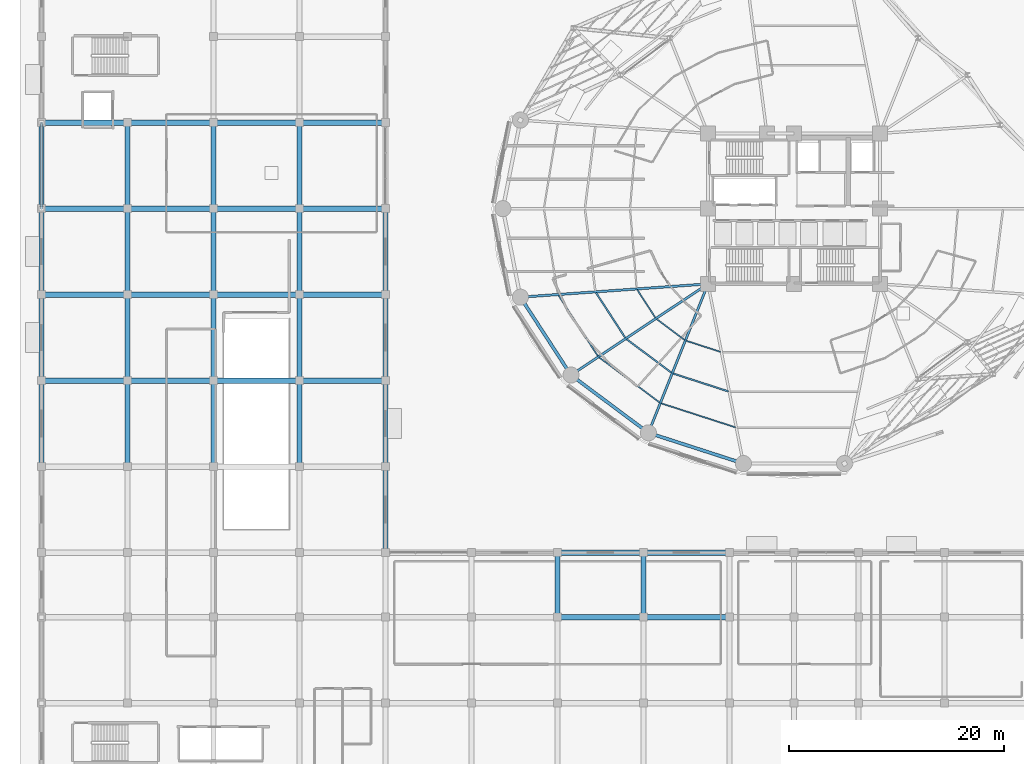
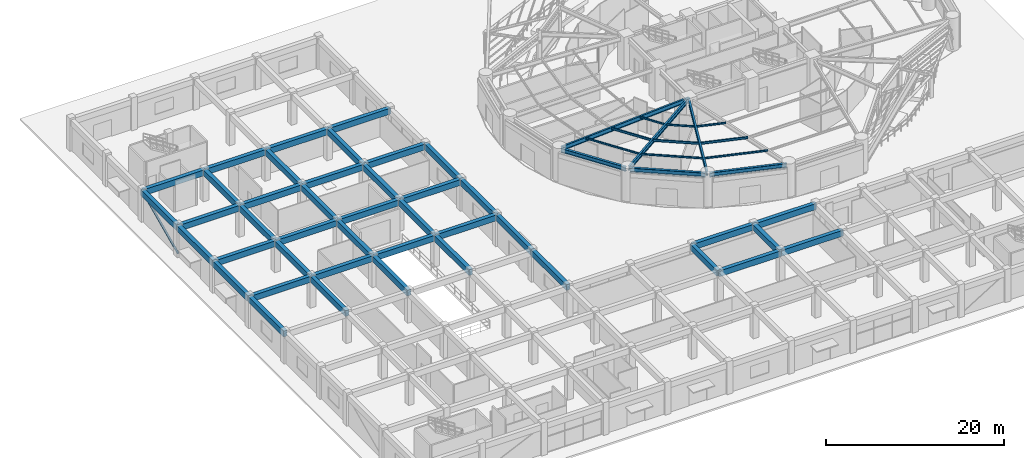
# One storey, part 12 of 40: 57 beams, 1 member.
"""IFC4 building model written with IfcOpenShell, lengths in metres."""

from ifc_helpers import new_model, si_unit, direction, frame, origin, origin_2d, place, context, subcontext, project, spatial, rectangle, hollow_circle, i_section, extrude, material, material_profile, profile_set, type_object, element, save


model = new_model("IFC4")

# Units and contexts
model_context = context("Model", 3, precision=1e-05, world=origin(), true_north=direction((0.0, 1.0)))
body_context = subcontext(model_context, "Body", "Model", "MODEL_VIEW")
ifc_project = project(units=[si_unit("LENGTHUNIT", "METRE"), si_unit("AREAUNIT", "SQUARE_METRE"), si_unit("VOLUMEUNIT", "CUBIC_METRE"), si_unit("PLANEANGLEUNIT", "RADIAN"), si_unit("MASSUNIT", "GRAM", prefix="KILO")], contexts=[model_context])

# Site, building, storey
site_placement = place(None, origin())
site = spatial("IfcSite", under=ifc_project, at=site_placement, CompositionType="ELEMENT")
building_placement = place(site_placement, origin())
building = spatial("IfcBuilding", under=site, at=building_placement, Name="Kelanora Arch Commons", CompositionType="ELEMENT")
storey_placement = place(building_placement, origin())
storey = spatial("IfcBuildingStorey", under=building, at=storey_placement, Name="L00", CompositionType="ELEMENT", Elevation=0.0)

# Beams
ifc_material_1 = material(Name="Steel S355", Category="steel")
ifc_material_profile_1 = material_profile(ifc_material_1, i_section(OverallWidth=0.14990234375, OverallDepth=0.300048828125, WebThickness=0.007080078125, FlangeThickness=0.0107421875, FilletRadius=0.014892578125, at=origin_2d()), Name="IPE300")
ifc_profile_set_1 = profile_set([ifc_material_profile_1], Name="Steel S355")
beam_type_1 = type_object("IfcBeamType", Name="BM-JST-01", PredefinedType="JOIST", material=ifc_profile_set_1)
beam_1_placement = place(storey_placement, frame((55.578125, 50.187255859375, 4.050048828125), z_axis=(0.544551588245, -0.838727350061, 0.0), x_axis=(0.838727350061, 0.544551588245, 0.0)))
element("IfcBeam", 1, at=beam_1_placement, inside=storey, type_object=beam_type_1, Name="Secondary Chord Joist BJB-20 L00", PredefinedType="JOIST", context=body_context, shape_type="SweptSolid", body=[
    extrude(i_section(OverallWidth=0.14990234375, OverallDepth=0.300048828125, WebThickness=0.007080078125, FlangeThickness=0.0107421875, FilletRadius=0.014892578125, at=origin_2d()), origin(), (0.0, 0.0, 1.0), 5.010986328125),
])
beam_2_placement = place(storey_placement, frame((58.42138671875, 45.8623046875, 4.050048828125), z_axis=(0.801478251559, -0.598023922831, 0.0), x_axis=(0.598023922831, 0.801478251559, 0.0)))
element("IfcBeam", 2, at=beam_2_placement, inside=storey, type_object=beam_type_1, Name="Secondary Chord Joist BJB-22 L00", PredefinedType="JOIST", context=body_context, shape_type="SweptSolid", body=[
    extrude(i_section(OverallWidth=0.14990234375, OverallDepth=0.300048828125, WebThickness=0.007080078125, FlangeThickness=0.0107421875, FilletRadius=0.014892578125, at=origin_2d()), origin(), (0.0, 0.0, 1.0), 5.223388671875),
])
beam_3_placement = place(storey_placement, frame((62.7568359375, 42.66162109375, 4.050048828125), z_axis=(0.951412209627, -0.307920131482, 0.0), x_axis=(0.307920131482, 0.951412209627, 0.0)))
element("IfcBeam", 3, at=beam_3_placement, inside=storey, type_object=beam_type_1, Name="Secondary Chord Joist BJB-24 L00", PredefinedType="JOIST", context=body_context, shape_type="SweptSolid", body=[
    extrude(i_section(OverallWidth=0.14990234375, OverallDepth=0.300048828125, WebThickness=0.007080078125, FlangeThickness=0.0107421875, FilletRadius=0.014892578125, at=origin_2d()), origin(), (0.0, 0.0, 1.0), 5.4033203125),
])
ifc_material_profile_2 = material_profile(ifc_material_1, i_section(OverallWidth=0.1201171875, OverallDepth=0.239990234375, WebThickness=0.006103515625, FlangeThickness=0.009765625, FilletRadius=0.014892578125, at=origin_2d()), Name="IPE240")
ifc_profile_set_2 = profile_set([ifc_material_profile_2], Name="Steel S355")
beam_type_2 = type_object("IfcBeamType", Name="BM-JST-02", PredefinedType="JOIST", material=ifc_profile_set_2)
beam_4_placement = place(storey_placement, frame((59.41650390625, 50.458984375, 4.080078125), z_axis=(0.544591105858, -0.838701691557, 0.0), x_axis=(0.838701691557, 0.544591105858, 0.0)))
element("IfcBeam", 4, at=beam_4_placement, inside=storey, type_object=beam_type_2, Name="Secondary Chord Joist BJA-20 L00", PredefinedType="JOIST", context=body_context, shape_type="SweptSolid", body=[
    extrude(i_section(OverallWidth=0.1201171875, OverallDepth=0.239990234375, WebThickness=0.006103515625, FlangeThickness=0.009765625, FilletRadius=0.014892578125, at=origin_2d()), origin(), (0.0, 0.0, 1.0), 3.111328125),
])
beam_5_placement = place(storey_placement, frame((52.0888671875, 49.940185546875, 4.080078125), z_axis=(0.544550165372, -0.838728273873, 0.0), x_axis=(0.838728273873, 0.544550165372, 0.0)))
element("IfcBeam", 5, at=beam_5_placement, inside=storey, type_object=beam_type_2, Name="Secondary Chord Joist BJC-20 L00", PredefinedType="JOIST", context=body_context, shape_type="SweptSolid", body=[
    extrude(i_section(OverallWidth=0.1201171875, OverallDepth=0.239990234375, WebThickness=0.006103515625, FlangeThickness=0.009765625, FilletRadius=0.014892578125, at=origin_2d()), origin(), (0.0, 0.0, 1.0), 6.738037109375),
])
beam_6_placement = place(storey_placement, frame((61.22509765625, 47.727294921875, 4.080078125), z_axis=(0.801513822608, -0.59797624716, 0.0), x_axis=(0.59797624716, 0.801513822608, 0.0)))
element("IfcBeam", 6, at=beam_6_placement, inside=storey, type_object=beam_type_2, Name="Secondary Chord Joist BJA-22 L00", PredefinedType="JOIST", context=body_context, shape_type="SweptSolid", body=[
    extrude(i_section(OverallWidth=0.1201171875, OverallDepth=0.239990234375, WebThickness=0.006103515625, FlangeThickness=0.009765625, FilletRadius=0.014892578125, at=origin_2d()), origin(), (0.0, 0.0, 1.0), 3.245849609375),
])
beam_7_placement = place(storey_placement, frame((55.87255859375, 44.16650390625, 4.080078125), z_axis=(0.80149131963, -0.598006408459, 0.0), x_axis=(0.598006408459, 0.80149131963, 0.0)))
element("IfcBeam", 7, at=beam_7_placement, inside=storey, type_object=beam_type_2, Name="Secondary Chord Joist BJC-22 L00", PredefinedType="JOIST", context=body_context, shape_type="SweptSolid", body=[
    extrude(i_section(OverallWidth=0.1201171875, OverallDepth=0.239990234375, WebThickness=0.006103515625, FlangeThickness=0.009765625, FilletRadius=0.014892578125, at=origin_2d()), origin(), (0.0, 0.0, 1.0), 7.021240234375),
])
beam_8_placement = place(storey_placement, frame((63.9755859375, 45.709228515625, 4.080078125), z_axis=(0.951422608074, -0.30788800049, 0.0), x_axis=(0.30788800049, 0.951422608074, 0.0)))
element("IfcBeam", 8, at=beam_8_placement, inside=storey, type_object=beam_type_2, Name="Secondary Chord Joist BJA-24 L00", PredefinedType="JOIST", context=body_context, shape_type="SweptSolid", body=[
    extrude(i_section(OverallWidth=0.1201171875, OverallDepth=0.239990234375, WebThickness=0.006103515625, FlangeThickness=0.009765625, FilletRadius=0.014892578125, at=origin_2d()), origin(), (0.0, 0.0, 1.0), 3.359619140625),
])
beam_9_placement = place(storey_placement, frame((61.64892578125, 39.890625, 4.080078125), z_axis=(0.951410915705, -0.307924129418, 0.0), x_axis=(0.307924129418, 0.951410915705, 0.0)))
element("IfcBeam", 9, at=beam_9_placement, inside=storey, type_object=beam_type_2, Name="Secondary Chord Joist BJC-24 L00", PredefinedType="JOIST", context=body_context, shape_type="SweptSolid", body=[
    extrude(i_section(OverallWidth=0.1201171875, OverallDepth=0.239990234375, WebThickness=0.006103515625, FlangeThickness=0.009765625, FilletRadius=0.014892578125, at=origin_2d()), origin(), (0.0, 0.0, 1.0), 7.260986328125),
])
ifc_material_2 = material(Name="Concrete C40/50", Category="concrete")
ifc_material_profile_3 = material_profile(ifc_material_2, rectangle(XDim=0.5, YDim=0.800048828125, at=origin_2d()), Name="RCB500x800")
ifc_profile_set_3 = profile_set([ifc_material_profile_3], Name="Concrete C40/50")
beam_type_3 = type_object("IfcBeamType", Name="BM-MKT-RC1", PredefinedType="BEAM", material=ifc_profile_set_3)
for number, where, z_axis, x_axis, name in (
    (10, (4.0, 34.0, 3.840087890625), (0.0, 1.0, 0.0), (-1.0, 0.0, 0.0), "Market/Basement Frame Beam 010 L00"),
    (11, (4.0, 42.0, 3.840087890625), (1.0, 0.0, 0.0), (0.0, 1.0, 0.0), "Market/Basement Frame Beam 011 L00"),
    (12, (4.0, 42.0, 3.840087890625), (0.0, 1.0, 0.0), (-1.0, 0.0, 0.0), "Market/Basement Frame Beam 012 L00"),
    (13, (4.0, 50.0, 3.840087890625), (1.0, 0.0, 0.0), (0.0, 1.0, 0.0), "Market/Basement Frame Beam 013 L00"),
    (14, (4.0, 50.0, 3.840087890625), (0.0, 1.0, 0.0), (-1.0, 0.0, 0.0), "Market/Basement Frame Beam 014 L00"),
    (15, (4.0, 58.0, 3.840087890625), (1.0, 0.0, 0.0), (0.0, 1.0, 0.0), "Market/Basement Frame Beam 015 L00"),
    (16, (4.0, 58.0, 3.840087890625), (0.0, 1.0, 0.0), (-1.0, 0.0, 0.0), "Market/Basement Frame Beam 016 L00"),
    (17, (4.0, 66.0, 3.840087890625), (1.0, 0.0, 0.0), (0.0, 1.0, 0.0), "Market/Basement Frame Beam 017 L00"),
    (18, (12.0, 34.0, 3.840087890625), (0.0, 1.0, 0.0), (-1.0, 0.0, 0.0), "Market/Basement Frame Beam 029 L00"),
    (19, (12.0, 42.0, 3.840087890625), (1.0, 0.0, 0.0), (0.0, 1.0, 0.0), "Market/Basement Frame Beam 030 L00"),
    (20, (12.0, 42.0, 3.840087890625), (0.0, 1.0, 0.0), (-1.0, 0.0, 0.0), "Market/Basement Frame Beam 031 L00"),
    (21, (12.0, 50.0, 3.840087890625), (1.0, 0.0, 0.0), (0.0, 1.0, 0.0), "Market/Basement Frame Beam 032 L00"),
    (22, (12.0, 50.0, 3.840087890625), (0.0, 1.0, 0.0), (-1.0, 0.0, 0.0), "Market/Basement Frame Beam 033 L00"),
    (23, (12.0, 58.0, 3.840087890625), (1.0, 0.0, 0.0), (0.0, 1.0, 0.0), "Market/Basement Frame Beam 034 L00"),
    (24, (12.0, 58.0, 3.840087890625), (0.0, 1.0, 0.0), (-1.0, 0.0, 0.0), "Market/Basement Frame Beam 035 L00"),
    (25, (12.0, 66.0, 3.840087890625), (1.0, 0.0, 0.0), (0.0, 1.0, 0.0), "Market/Basement Frame Beam 036 L00"),
    (26, (20.0, 34.0, 3.840087890625), (0.0, 1.0, 0.0), (-1.0, 0.0, 0.0), "Market/Basement Frame Beam 047 L00"),
    (27, (20.0, 42.0, 3.840087890625), (1.0, 0.0, 0.0), (0.0, 1.0, 0.0), "Market/Basement Frame Beam 048 L00"),
    (28, (20.0, 42.0, 3.840087890625), (0.0, 1.0, 0.0), (-1.0, 0.0, 0.0), "Market/Basement Frame Beam 049 L00"),
    (29, (20.0, 50.0, 3.840087890625), (1.0, 0.0, 0.0), (0.0, 1.0, 0.0), "Market/Basement Frame Beam 050 L00"),
    (30, (20.0, 50.0, 3.840087890625), (0.0, 1.0, 0.0), (-1.0, 0.0, 0.0), "Market/Basement Frame Beam 051 L00"),
    (31, (20.0, 58.0, 3.840087890625), (1.0, 0.0, 0.0), (0.0, 1.0, 0.0), "Market/Basement Frame Beam 052 L00"),
    (32, (20.0, 58.0, 3.840087890625), (0.0, 1.0, 0.0), (-1.0, 0.0, 0.0), "Market/Basement Frame Beam 053 L00"),
    (33, (20.0, 66.0, 3.840087890625), (1.0, 0.0, 0.0), (0.0, 1.0, 0.0), "Market/Basement Frame Beam 054 L00"),
    (34, (28.0, 34.0, 3.840087890625), (0.0, 1.0, 0.0), (-1.0, 0.0, 0.0), "Market/Basement Frame Beam 068 L00"),
    (35, (28.0, 42.0, 3.840087890625), (1.0, 0.0, 0.0), (0.0, 1.0, 0.0), "Market/Basement Frame Beam 069 L00"),
    (36, (28.0, 42.0, 3.840087890625), (0.0, 1.0, 0.0), (-1.0, 0.0, 0.0), "Market/Basement Frame Beam 070 L00"),
    (37, (28.0, 50.0, 3.840087890625), (1.0, 0.0, 0.0), (0.0, 1.0, 0.0), "Market/Basement Frame Beam 071 L00"),
    (38, (28.0, 50.0, 3.840087890625), (0.0, 1.0, 0.0), (-1.0, 0.0, 0.0), "Market/Basement Frame Beam 072 L00"),
    (39, (28.0, 58.0, 3.840087890625), (1.0, 0.0, 0.0), (0.0, 1.0, 0.0), "Market/Basement Frame Beam 073 L00"),
    (40, (28.0, 58.0, 3.840087890625), (0.0, 1.0, 0.0), (-1.0, 0.0, 0.0), "Market/Basement Frame Beam 074 L00"),
    (41, (28.0, 66.0, 3.840087890625), (1.0, 0.0, 0.0), (0.0, 1.0, 0.0), "Market/Basement Frame Beam 075 L00"),
    (42, (36.0, 26.0, 3.840087890625), (0.0, 1.0, 0.0), (-1.0, 0.0, 0.0), "Market/Basement Frame Beam 087 L00"),
    (43, (36.0, 34.0, 3.840087890625), (0.0, 1.0, 0.0), (-1.0, 0.0, 0.0), "Market/Basement Frame Beam 088 L00"),
    (44, (36.0, 42.0, 3.840087890625), (0.0, 1.0, 0.0), (-1.0, 0.0, 0.0), "Market/Basement Frame Beam 089 L00"),
    (45, (36.0, 50.0, 3.840087890625), (0.0, 1.0, 0.0), (-1.0, 0.0, 0.0), "Market/Basement Frame Beam 090 L00"),
    (46, (52.0, 20.0, 3.840087890625), (1.0, 0.0, 0.0), (0.0, 1.0, 0.0), "Market/Basement Frame Beam 105 L00"),
):
    element("IfcBeam", number, at=place(storey_placement, frame(where, z_axis=z_axis, x_axis=x_axis)), inside=storey, type_object=beam_type_3, Name=name, PredefinedType="BEAM", context=body_context, shape_type="SweptSolid", body=[
        extrude(rectangle(XDim=0.5, YDim=0.800048828125, at=origin_2d()), origin(), (0.0, 0.0, 1.0), 8.0),
    ])
beam_10_placement = place(storey_placement, frame((52.0, 20.0, 3.840087890625), z_axis=(0.0, 1.0, 0.0), x_axis=(-1.0, 0.0, 0.0)))
element("IfcBeam", 47, at=beam_10_placement, inside=storey, type_object=beam_type_3, Name="Market/Basement Frame Beam 106 L00", PredefinedType="BEAM", context=body_context, shape_type="SweptSolid", body=[
    extrude(rectangle(XDim=0.5, YDim=0.800048828125, at=origin_2d()), origin(), (0.0, 0.0, 1.0), 6.0),
])
for number, where, z_axis, x_axis, name in (
    (48, (52.0, 26.0, 3.840087890625), (1.0, 0.0, 0.0), (0.0, 1.0, 0.0), "Market/Basement Frame Beam 107 L00"),
    (49, (60.0, 20.0, 3.840087890625), (1.0, 0.0, 0.0), (0.0, 1.0, 0.0), "Market/Basement Frame Beam 112 L00"),
):
    element("IfcBeam", number, at=place(storey_placement, frame(where, z_axis=z_axis, x_axis=x_axis)), inside=storey, type_object=beam_type_3, Name=name, PredefinedType="BEAM", context=body_context, shape_type="SweptSolid", body=[
        extrude(rectangle(XDim=0.5, YDim=0.800048828125, at=origin_2d()), origin(), (0.0, 0.0, 1.0), 8.0),
    ])
beam_11_placement = place(storey_placement, frame((60.0, 20.0, 3.840087890625), z_axis=(0.0, 1.0, 0.0), x_axis=(-1.0, 0.0, 0.0)))
element("IfcBeam", 50, at=beam_11_placement, inside=storey, type_object=beam_type_3, Name="Market/Basement Frame Beam 113 L00", PredefinedType="BEAM", context=body_context, shape_type="SweptSolid", body=[
    extrude(rectangle(XDim=0.5, YDim=0.800048828125, at=origin_2d()), origin(), (0.0, 0.0, 1.0), 6.0),
])
beam_12_placement = place(storey_placement, frame((60.0, 26.0, 3.840087890625), z_axis=(1.0, 0.0, 0.0), x_axis=(0.0, 1.0, 0.0)))
element("IfcBeam", 51, at=beam_12_placement, inside=storey, type_object=beam_type_3, Name="Market/Basement Frame Beam 114 L00", PredefinedType="BEAM", context=body_context, shape_type="SweptSolid", body=[
    extrude(rectangle(XDim=0.5, YDim=0.800048828125, at=origin_2d()), origin(), (0.0, 0.0, 1.0), 8.0),
])
ifc_material_profile_4 = material_profile(ifc_material_1, i_section(OverallWidth=0.219970703125, OverallDepth=0.60009765625, WebThickness=0.011962890625, FlangeThickness=0.01904296875, FilletRadius=0.02392578125, at=origin_2d()), Name="IPE600")
ifc_profile_set_4 = profile_set([ifc_material_profile_4], Name="Steel S355")
beam_type_4 = type_object("IfcBeamType", Name="BM-RAD-Z1", PredefinedType="BEAM", material=ifc_profile_set_4)
beam_13_placement = place(storey_placement, frame((66.0, 51.0, 3.89990234375), z_axis=(-0.997500932078, -0.070653312055, 0.0), x_axis=(0.070653312055, -0.997500932078, 0.0)))
element("IfcBeam", 52, at=beam_13_placement, inside=storey, type_object=beam_type_4, Name="Radial Floor Girder BR-20 L00", PredefinedType="BEAM", context=body_context, shape_type="SweptSolid", body=[
    extrude(i_section(OverallWidth=0.219970703125, OverallDepth=0.60009765625, WebThickness=0.011962890625, FlangeThickness=0.01904296875, FilletRadius=0.02392578125, at=origin_2d()), origin(), (0.0, 0.0, 1.0), 17.2705078125),
])
beam_14_placement = place(storey_placement, frame((66.0, 51.0, 3.89990234375), z_axis=(-0.832592623638, -0.553885839379, 0.0), x_axis=(0.553885839379, -0.832592623638, 0.0)))
element("IfcBeam", 53, at=beam_14_placement, inside=storey, type_object=beam_type_4, Name="Radial Floor Girder BR-22 L00", PredefinedType="BEAM", context=body_context, shape_type="SweptSolid", body=[
    extrude(i_section(OverallWidth=0.219970703125, OverallDepth=0.60009765625, WebThickness=0.011962890625, FlangeThickness=0.01904296875, FilletRadius=0.02392578125, at=origin_2d()), origin(), (0.0, 0.0, 1.0), 15.0869140625),
])
beam_15_placement = place(storey_placement, frame((66.0, 51.0, 3.89990234375), z_axis=(-0.371296182896, -0.928514482691, 0.0), x_axis=(0.928514482691, -0.371296182896, 0.0)))
element("IfcBeam", 54, at=beam_15_placement, inside=storey, type_object=beam_type_4, Name="Radial Floor Girder BR-24 L00", PredefinedType="BEAM", context=body_context, shape_type="SweptSolid", body=[
    extrude(i_section(OverallWidth=0.219970703125, OverallDepth=0.60009765625, WebThickness=0.011962890625, FlangeThickness=0.01904296875, FilletRadius=0.02392578125, at=origin_2d()), origin(), (0.0, 0.0, 1.0), 14.700439453125),
])
ifc_material_profile_5 = material_profile(ifc_material_1, i_section(OverallWidth=0.300048828125, OverallDepth=0.60009765625, WebThickness=0.015380859375, FlangeThickness=0.030029296875, FilletRadius=0.027099609375, at=origin_2d()), Name="HEB600")
ifc_profile_set_5 = profile_set([ifc_material_profile_5], Name="Steel S355")
beam_type_5 = type_object("IfcBeamType", Name="BM-SPN-Z1", PredefinedType="SPANDREL", material=ifc_profile_set_5)
beam_16_placement = place(storey_placement, frame((48.6728515625, 49.57958984375, 3.89990234375), z_axis=(0.544580949539, -0.838708286235, 0.0), x_axis=(0.838708286235, 0.544580949539, 0.0)))
element("IfcBeam", 55, at=beam_16_placement, inside=storey, type_object=beam_type_5, Name="Perimeter Spandrel Beam BS-20 L00", PredefinedType="SPANDREL", context=body_context, shape_type="SweptSolid", body=[
    extrude(i_section(OverallWidth=0.300048828125, OverallDepth=0.60009765625, WebThickness=0.015380859375, FlangeThickness=0.030029296875, FilletRadius=0.027099609375, at=origin_2d()), origin(), (0.0, 0.0, 1.0), 8.195068359375),
])
beam_17_placement = place(storey_placement, frame((53.431884765625, 42.39013671875, 3.89990234375), z_axis=(0.801474585329, -0.598028836322, 0.0), x_axis=(0.598028836322, 0.801474585329, 0.0)))
element("IfcBeam", 56, at=beam_17_placement, inside=storey, type_object=beam_type_5, Name="Perimeter Spandrel Beam BS-22 L00", PredefinedType="SPANDREL", context=body_context, shape_type="SweptSolid", body=[
    extrude(i_section(OverallWidth=0.300048828125, OverallDepth=0.60009765625, WebThickness=0.015380859375, FlangeThickness=0.030029296875, FilletRadius=0.027099609375, at=origin_2d()), origin(), (0.0, 0.0, 1.0), 8.549072265625),
])
beam_18_placement = place(storey_placement, frame((60.669189453125, 37.078369140625, 3.89990234375), z_axis=(0.951411479564, -0.307922387224, 0.0), x_axis=(0.307922387224, 0.951411479564, 0.0)))
element("IfcBeam", 57, at=beam_18_placement, inside=storey, type_object=beam_type_5, Name="Perimeter Spandrel Beam BS-24 L00", PredefinedType="SPANDREL", context=body_context, shape_type="SweptSolid", body=[
    extrude(i_section(OverallWidth=0.300048828125, OverallDepth=0.60009765625, WebThickness=0.015380859375, FlangeThickness=0.030029296875, FilletRadius=0.027099609375, at=origin_2d()), origin(), (0.0, 0.0, 1.0), 8.84912109375),
])

# Member
ifc_material_profile_6 = material_profile(ifc_material_1, hollow_circle(Radius=0.136474609375, WallThickness=0.012451171875, at=origin_2d()), Name="CHS273x12.5")
ifc_profile_set_6 = profile_set([ifc_material_profile_6], Name="Steel S355")
member_type = type_object("IfcMemberType", Name="MEM-MKT-BRACE", PredefinedType="BRACE", material=ifc_profile_set_6)
member_placement = place(storey_placement, frame((4.0, 58.0, 0.25), z_axis=(0.0, 0.907629151412, 0.419772942799), x_axis=(-1.0, 0.0, 0.0)))
element("IfcMember", 58, at=member_placement, inside=storey, type_object=member_type, Name="Market Hall Lateral Brace 04 L00", PredefinedType="BRACE", context=body_context, shape_type="SweptSolid", body=[
    extrude(hollow_circle(Radius=0.136474609375, WallThickness=0.012451171875, at=origin_2d()), origin(), (0.0, 0.0, 1.0), 8.814208984375),
])

save(model, "model.ifc")
